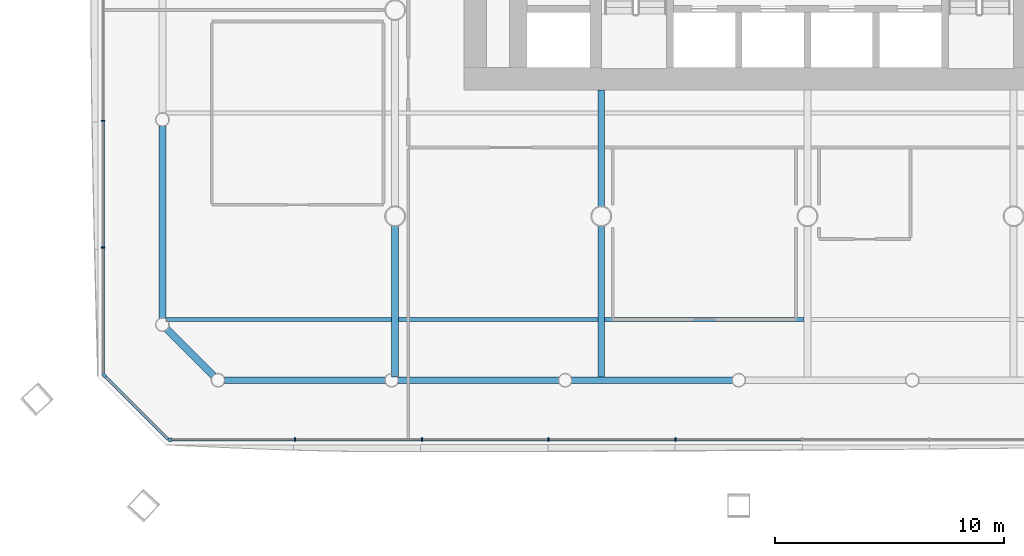
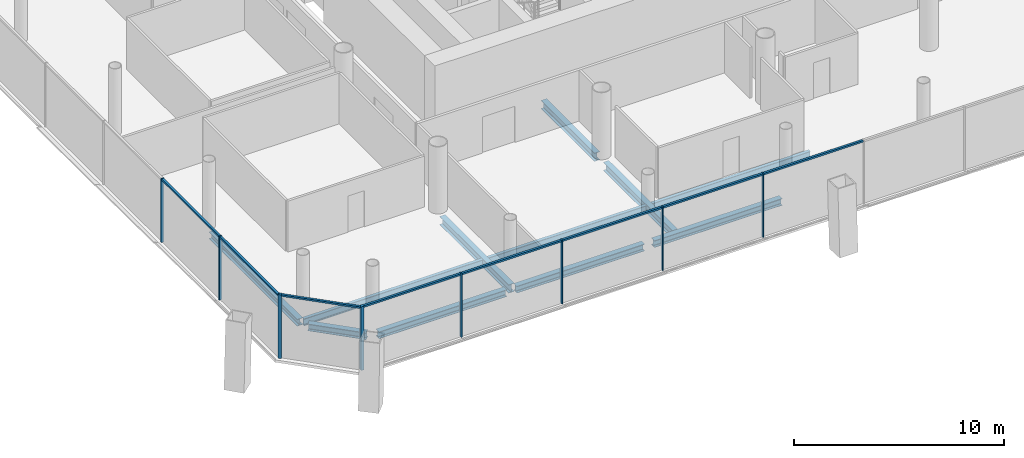
# One storey, part 3 of 23: 16 members, 11 beams, 3 elements without a shape of their own.
"""IFC4 building model written with IfcOpenShell, lengths in metres."""

from ifc_helpers import new_model, si_unit, direction, frame, origin, origin_2d, place, context, subcontext, project, spatial, rectangle, i_section, extrude, material, material_profile, profile_set, type_object, element, aggregate, save


model = new_model("IFC4")

# Units and contexts
model_context = context("Model", 3, precision=1e-05, world=origin(), true_north=direction((0.0, 1.0)))
body_context = subcontext(model_context, "Body", "Model", "MODEL_VIEW")
ifc_project = project(units=[si_unit("LENGTHUNIT", "METRE"), si_unit("AREAUNIT", "SQUARE_METRE"), si_unit("VOLUMEUNIT", "CUBIC_METRE"), si_unit("PLANEANGLEUNIT", "RADIAN"), si_unit("MASSUNIT", "GRAM", prefix="KILO")], contexts=[model_context])

# Site, building, storey
site_placement = place(None, origin())
site = spatial("IfcSite", under=ifc_project, at=site_placement, CompositionType="ELEMENT")
building_placement = place(site_placement, origin())
building = spatial("IfcBuilding", under=site, at=building_placement, Name="Tskaro Facet Tower", CompositionType="ELEMENT")
storey_placement = place(building_placement, frame((0.0, 0.0, 14.699951171875)))
storey = spatial("IfcBuildingStorey", under=building, at=storey_placement, Name="L02", CompositionType="ELEMENT", Elevation=14.699951171875)

# Curtain wall, member
ifc_material_1 = material(Name="Bronze anodised aluminium 6063-T6", Category="aluminium")
curtain_wall_type = type_object("IfcCurtainWallType", Name="Bronze office curtain wall (FW1)", PredefinedType="NOTDEFINED", material=ifc_material_1)
curtain_wall_1_placement = place(storey_placement, origin())
curtain_wall_1 = element("IfcCurtainWall", 1, at=curtain_wall_1_placement, inside=storey, type_object=curtain_wall_type, Name="FW1 south facet L02", PredefinedType="NOTDEFINED")
ifc_material_profile_1 = material_profile(ifc_material_1, rectangle(XDim=0.159912109375, YDim=0.159912109375, at=origin_2d()), Name="Corner post 160x160")
ifc_profile_set_1 = profile_set([ifc_material_profile_1], Name="Bronze anodised aluminium 6063-T6")
member_type_1 = type_object("IfcMemberType", Name="FW1 bronze corner post 160x160", PredefinedType="MULLION", material=ifc_profile_set_1)
member_1_placement = place(storey_placement, frame((-27.81591796875, -27.75, 0.0), z_axis=(0.0, 0.0, 1.0), x_axis=(1.0, 0.0, 0.0)))
member_1 = element("IfcMember", 2, at=member_1_placement, type_object=member_type_1, Name="FW1 south corner post", PredefinedType="MULLION", context=body_context, shape_type="SweptSolid", body=[
    extrude(rectangle(XDim=0.159912109375, YDim=0.159912109375, at=origin_2d()), origin(), (0.0, 0.0, 1.0), 3.699951171875),
])

curtain_wall_2_placement = place(storey_placement, origin())
curtain_wall_2 = element("IfcCurtainWall", 3, at=curtain_wall_2_placement, inside=storey, type_object=curtain_wall_type, Name="FW1 south-west facet L02", PredefinedType="NOTDEFINED")
member_2_placement = place(storey_placement, frame((-30.693359375, -24.95263671875, 0.0), z_axis=(0.0, 0.0, 1.0), x_axis=(0.707106781187, -0.707106781187, 0.0)))
member_2 = element("IfcMember", 4, at=member_2_placement, type_object=member_type_1, Name="FW1 south-west corner post", PredefinedType="MULLION", context=body_context, shape_type="SweptSolid", body=[
    extrude(rectangle(XDim=0.159912109375, YDim=0.159912109375, at=origin_2d()), origin(), (0.0, 0.0, 1.0), 3.699951171875),
])

# Member
ifc_material_profile_2 = material_profile(ifc_material_1, rectangle(XDim=0.06005859375, YDim=0.159912109375, at=origin_2d()), Name="Mullion 60x160")
ifc_profile_set_2 = profile_set([ifc_material_profile_2], Name="Bronze anodised aluminium 6063-T6")
member_type_2 = type_object("IfcMemberType", Name="FW1 bronze mullion 60x160", PredefinedType="MULLION", material=ifc_profile_set_2)
member_3_placement = place(storey_placement, frame((-22.363525390625, -27.75, 0.0), z_axis=(0.0, 0.0, 1.0), x_axis=(1.0, 0.0, 0.0)))
member_3 = element("IfcMember", 5, at=member_3_placement, type_object=member_type_2, Name="FW1 south mullion 1", PredefinedType="MULLION", context=body_context, shape_type="SweptSolid", body=[
    extrude(rectangle(XDim=0.06005859375, YDim=0.159912109375, at=origin_2d()), origin(), (0.0, 0.0, 1.0), 3.699951171875),
])

member_4_placement = place(storey_placement, frame((-16.8310546875, -27.75, 0.0), z_axis=(0.0, 0.0, 1.0), x_axis=(1.0, 0.0, 0.0)))
member_4 = element("IfcMember", 6, at=member_4_placement, type_object=member_type_2, Name="FW1 south mullion 2", PredefinedType="MULLION", context=body_context, shape_type="SweptSolid", body=[
    extrude(rectangle(XDim=0.06005859375, YDim=0.159912109375, at=origin_2d()), origin(), (0.0, 0.0, 1.0), 3.699951171875),
])

member_5_placement = place(storey_placement, frame((-11.298583984375, -27.75, 0.0), z_axis=(0.0, 0.0, 1.0), x_axis=(1.0, 0.0, 0.0)))
member_5 = element("IfcMember", 7, at=member_5_placement, type_object=member_type_2, Name="FW1 south mullion 3", PredefinedType="MULLION", context=body_context, shape_type="SweptSolid", body=[
    extrude(rectangle(XDim=0.06005859375, YDim=0.159912109375, at=origin_2d()), origin(), (0.0, 0.0, 1.0), 3.699951171875),
])

member_6_placement = place(storey_placement, frame((-5.76611328125, -27.75, 0.0), z_axis=(0.0, 0.0, 1.0), x_axis=(1.0, 0.0, 0.0)))
member_6 = element("IfcMember", 8, at=member_6_placement, type_object=member_type_2, Name="FW1 south mullion 4", PredefinedType="MULLION", context=body_context, shape_type="SweptSolid", body=[
    extrude(rectangle(XDim=0.06005859375, YDim=0.159912109375, at=origin_2d()), origin(), (0.0, 0.0, 1.0), 3.699951171875),
])

# Curtain wall, members
curtain_wall_3_placement = place(storey_placement, origin())
curtain_wall_3 = element("IfcCurtainWall", 9, at=curtain_wall_3_placement, inside=storey, type_object=curtain_wall_type, Name="FW1 west facet L02", PredefinedType="NOTDEFINED")
member_7_placement = place(storey_placement, frame((-30.75, -13.8310546875, 0.0), z_axis=(0.0, 0.0, 1.0), x_axis=(0.0, -1.0, 0.0)))
member_7 = element("IfcMember", 10, at=member_7_placement, type_object=member_type_2, Name="FW1 west mullion 7", PredefinedType="MULLION", context=body_context, shape_type="SweptSolid", body=[
    extrude(rectangle(XDim=0.06005859375, YDim=0.159912109375, at=origin_2d()), origin(), (0.0, 0.0, 1.0), 3.699951171875),
])
member_8_placement = place(storey_placement, frame((-30.75, -19.363525390625, 0.0), z_axis=(0.0, 0.0, 1.0), x_axis=(0.0, -1.0, 0.0)))
member_8 = element("IfcMember", 11, at=member_8_placement, type_object=member_type_2, Name="FW1 west mullion 8", PredefinedType="MULLION", context=body_context, shape_type="SweptSolid", body=[
    extrude(rectangle(XDim=0.06005859375, YDim=0.159912109375, at=origin_2d()), origin(), (0.0, 0.0, 1.0), 3.699951171875),
])

# Member
ifc_material_profile_3 = material_profile(ifc_material_1, rectangle(XDim=0.1201171875, YDim=0.10009765625, at=origin_2d()), Name="Transom 120x100")
ifc_profile_set_3 = profile_set([ifc_material_profile_3], Name="Bronze anodised aluminium 6063-T6")
member_type_3 = type_object("IfcMemberType", Name="FW1 bronze transom 120x100", PredefinedType="USERDEFINED", material=ifc_profile_set_3)
member_9_placement = place(storey_placement, frame((-27.736083984375, -27.75, 3.650146484375), z_axis=(1.0, 0.0, 0.0), x_axis=(0.0, 1.0, 0.0)))
member_9 = element("IfcMember", 12, at=member_9_placement, type_object=member_type_3, Name="FW1 south transom 1.1", ObjectType="TRANSOM", PredefinedType="USERDEFINED", context=body_context, shape_type="SweptSolid", body=[
    extrude(rectangle(XDim=0.1201171875, YDim=0.10009765625, at=origin_2d()), origin(), (0.0, 0.0, 1.0), 5.342529296875),
])

member_10_placement = place(storey_placement, frame((-22.33349609375, -27.75, 3.650146484375), z_axis=(1.0, 0.0, 0.0), x_axis=(0.0, 1.0, 0.0)))
member_10 = element("IfcMember", 13, at=member_10_placement, type_object=member_type_3, Name="FW1 south transom 2.1", ObjectType="TRANSOM", PredefinedType="USERDEFINED", context=body_context, shape_type="SweptSolid", body=[
    extrude(rectangle(XDim=0.1201171875, YDim=0.10009765625, at=origin_2d()), origin(), (0.0, 0.0, 1.0), 5.472412109375),
])

member_11_placement = place(storey_placement, frame((-16.801025390625, -27.75, 3.650146484375), z_axis=(1.0, 0.0, 0.0), x_axis=(0.0, 1.0, 0.0)))
member_11 = element("IfcMember", 14, at=member_11_placement, type_object=member_type_3, Name="FW1 south transom 3.1", ObjectType="TRANSOM", PredefinedType="USERDEFINED", context=body_context, shape_type="SweptSolid", body=[
    extrude(rectangle(XDim=0.1201171875, YDim=0.10009765625, at=origin_2d()), origin(), (0.0, 0.0, 1.0), 5.472412109375),
])

member_12_placement = place(storey_placement, frame((-11.2685546875, -27.75, 3.650146484375), z_axis=(1.0, 0.0, 0.0), x_axis=(0.0, 1.0, 0.0)))
member_12 = element("IfcMember", 15, at=member_12_placement, type_object=member_type_3, Name="FW1 south transom 4.1", ObjectType="TRANSOM", PredefinedType="USERDEFINED", context=body_context, shape_type="SweptSolid", body=[
    extrude(rectangle(XDim=0.1201171875, YDim=0.10009765625, at=origin_2d()), origin(), (0.0, 0.0, 1.0), 5.472412109375),
])

member_13_placement = place(storey_placement, frame((-5.736328125, -27.75, 3.650146484375), z_axis=(1.0, 0.0, 0.0), x_axis=(0.0, 1.0, 0.0)))
member_13 = element("IfcMember", 16, at=member_13_placement, type_object=member_type_3, Name="FW1 south transom 5.1", ObjectType="TRANSOM", PredefinedType="USERDEFINED", context=body_context, shape_type="SweptSolid", body=[
    extrude(rectangle(XDim=0.1201171875, YDim=0.10009765625, at=origin_2d()), origin(), (0.0, 0.0, 1.0), 5.47265625),
])

aggregate(curtain_wall_1, [member_1, member_3, member_4, member_5, member_6, member_9, member_10, member_11, member_12, member_13])

member_14_placement = place(storey_placement, frame((-30.75, -13.861083984375, 3.650146484375), z_axis=(0.0, -1.0, 0.0), x_axis=(1.0, 0.0, 0.0)))
member_14 = element("IfcMember", 17, at=member_14_placement, type_object=member_type_3, Name="FW1 west transom 8.1", ObjectType="TRANSOM", PredefinedType="USERDEFINED", context=body_context, shape_type="SweptSolid", body=[
    extrude(rectangle(XDim=0.1201171875, YDim=0.10009765625, at=origin_2d()), origin(), (0.0, 0.0, 1.0), 5.472412109375),
])

member_15_placement = place(storey_placement, frame((-30.75, -19.3935546875, 3.650146484375), z_axis=(0.0, -1.0, 0.0), x_axis=(1.0, 0.0, 0.0)))
member_15 = element("IfcMember", 18, at=member_15_placement, type_object=member_type_3, Name="FW1 west transom 9.1", ObjectType="TRANSOM", PredefinedType="USERDEFINED", context=body_context, shape_type="SweptSolid", body=[
    extrude(rectangle(XDim=0.1201171875, YDim=0.10009765625, at=origin_2d()), origin(), (0.0, 0.0, 1.0), 5.50244140625),
])

aggregate(curtain_wall_3, [member_7, member_8, member_14, member_15])

member_16_placement = place(storey_placement, frame((-30.636962890625, -25.009033203125, 3.650146484375), z_axis=(0.707106781187, -0.707106781187, 0.0), x_axis=(0.707106781187, 0.707106781187, 0.0)))
member_16 = element("IfcMember", 19, at=member_16_placement, type_object=member_type_3, Name="FW1 south-west transom 1.1", ObjectType="TRANSOM", PredefinedType="USERDEFINED", context=body_context, shape_type="SweptSolid", body=[
    extrude(rectangle(XDim=0.1201171875, YDim=0.10009765625, at=origin_2d()), origin(), (0.0, 0.0, 1.0), 3.876220703125),
])

aggregate(curtain_wall_2, [member_2, member_16])

# Beams
ifc_material_2 = material(Name="Steel S355J2", Category="steel")
ifc_material_profile_4 = material_profile(ifc_material_2, i_section(OverallWidth=0.300048828125, OverallDepth=0.39990234375, WebThickness=0.013427734375, FlangeThickness=0.02392578125, FilletRadius=0.027099609375, at=origin_2d()), Name="HE 400 B")
ifc_profile_set_4 = profile_set([ifc_material_profile_4], Name="Steel S355J2")
beam_type_1 = type_object("IfcBeamType", Name="HE 400 B ring beam", PredefinedType="BEAM", material=ifc_profile_set_4)
beam_1_placement = place(storey_placement, frame((-25.4541015625, -25.156982421875, -0.33984375), z_axis=(1.0, 0.0, 0.0), x_axis=(0.0, 1.0, 0.0)))
element("IfcBeam", 20, at=beam_1_placement, inside=storey, type_object=beam_type_1, Name="HE 400 B EB1-1", PredefinedType="BEAM", context=body_context, shape_type="SweptSolid", body=[
    extrude(i_section(OverallWidth=0.300048828125, OverallDepth=0.39990234375, WebThickness=0.013427734375, FlangeThickness=0.02392578125, FilletRadius=0.027099609375, at=origin_2d()), origin(), (0.0, 0.0, 1.0), 7.026123046875),
])
beam_2_placement = place(storey_placement, frame((-17.8779296875, -25.156982421875, -0.33984375), z_axis=(1.0, 0.0, 0.0), x_axis=(0.0, 1.0, 0.0)))
element("IfcBeam", 21, at=beam_2_placement, inside=storey, type_object=beam_type_1, Name="HE 400 B EB2-1", PredefinedType="BEAM", context=body_context, shape_type="SweptSolid", body=[
    extrude(i_section(OverallWidth=0.300048828125, OverallDepth=0.39990234375, WebThickness=0.013427734375, FlangeThickness=0.02392578125, FilletRadius=0.027099609375, at=origin_2d()), origin(), (0.0, 0.0, 1.0), 7.02685546875),
])
beam_3_placement = place(storey_placement, frame((-10.301025390625, -25.156982421875, -0.33984375), z_axis=(1.0, 0.0, 0.0), x_axis=(0.0, 1.0, 0.0)))
element("IfcBeam", 22, at=beam_3_placement, inside=storey, type_object=beam_type_1, Name="HE 400 B EB3-1", PredefinedType="BEAM", context=body_context, shape_type="SweptSolid", body=[
    extrude(i_section(OverallWidth=0.300048828125, OverallDepth=0.39990234375, WebThickness=0.013427734375, FlangeThickness=0.02392578125, FilletRadius=0.027099609375, at=origin_2d()), origin(), (0.0, 0.0, 1.0), 7.026123046875),
])
beam_4_placement = place(storey_placement, frame((-28.156982421875, -14.055908203125, -0.33984375), z_axis=(0.0, -1.0, 0.0), x_axis=(1.0, 0.0, 0.0)))
element("IfcBeam", 23, at=beam_4_placement, inside=storey, type_object=beam_type_1, Name="HE 400 B EB24-1", PredefinedType="BEAM", context=body_context, shape_type="SweptSolid", body=[
    extrude(i_section(OverallWidth=0.300048828125, OverallDepth=0.39990234375, WebThickness=0.013427734375, FlangeThickness=0.02392578125, FilletRadius=0.027099609375, at=origin_2d()), origin(), (0.0, 0.0, 1.0), 8.398193359375),
])
beam_5_placement = place(storey_placement, frame((-27.962646484375, -22.92333984375, -0.33984375), z_axis=(0.707106781187, -0.707106781187, 0.0), x_axis=(0.707106781187, 0.707106781187, 0.0)))
element("IfcBeam", 24, at=beam_5_placement, inside=storey, type_object=beam_type_1, Name="HE 400 B EB25-1", PredefinedType="BEAM", context=body_context, shape_type="SweptSolid", body=[
    extrude(i_section(OverallWidth=0.300048828125, OverallDepth=0.39990234375, WebThickness=0.013427734375, FlangeThickness=0.02392578125, FilletRadius=0.027099609375, at=origin_2d()), origin(), (0.0, 0.0, 1.0), 2.884033203125),
])
ifc_material_profile_5 = material_profile(ifc_material_2, i_section(OverallWidth=0.300048828125, OverallDepth=0.489990234375, WebThickness=0.011962890625, FlangeThickness=0.02294921875, FilletRadius=0.027099609375, at=origin_2d()), Name="HE 500 A")
ifc_profile_set_5 = profile_set([ifc_material_profile_5], Name="Steel S355J2")
beam_type_2 = type_object("IfcBeamType", Name="HE 500 A girder", PredefinedType="BEAM", material=ifc_profile_set_5)
for number, where, z_axis, x_axis, name in (
    (25, (-18.0, -25.007080078125, -0.385009765625), (0.0, 1.0, 0.0), (-1.0, 0.0, 0.0), "HE 500 A GB2-1-1"),
    (26, (-9.0, -25.007080078125, -0.385009765625), (0.0, 1.0, 0.0), (-1.0, 0.0, 0.0), "HE 500 A GB3-1-1"),
):
    element("IfcBeam", number, at=place(storey_placement, frame(where, z_axis=z_axis, x_axis=x_axis)), inside=storey, type_object=beam_type_2, Name=name, PredefinedType="BEAM", context=body_context, shape_type="SweptSolid", body=[
        extrude(i_section(OverallWidth=0.300048828125, OverallDepth=0.489990234375, WebThickness=0.011962890625, FlangeThickness=0.02294921875, FilletRadius=0.027099609375, at=origin_2d()), origin(), (0.0, 0.0, 1.0), 6.579833984375),
    ])
beam_6_placement = place(storey_placement, frame((-9.0, -17.57275390625, -0.385009765625), z_axis=(0.0, 1.0, 0.0), x_axis=(-1.0, 0.0, 0.0)))
element("IfcBeam", 27, at=beam_6_placement, inside=storey, type_object=beam_type_2, Name="HE 500 A GB3-2-1", PredefinedType="BEAM", context=body_context, shape_type="SweptSolid", body=[
    extrude(i_section(OverallWidth=0.300048828125, OverallDepth=0.489990234375, WebThickness=0.011962890625, FlangeThickness=0.02294921875, FilletRadius=0.027099609375, at=origin_2d()), origin(), (0.0, 0.0, 1.0), 5.07275390625),
])
ifc_material_profile_6 = material_profile(ifc_material_2, i_section(OverallWidth=0.179931640625, OverallDepth=0.39990234375, WebThickness=0.008544921875, FlangeThickness=0.013427734375, FilletRadius=0.02099609375, at=origin_2d()), Name="IPE 400")
ifc_profile_set_6 = profile_set([ifc_material_profile_6], Name="Steel S355J2")
beam_type_3 = type_object("IfcBeamType", Name="IPE 400 secondary beam", PredefinedType="BEAM", material=ifc_profile_set_6)
beam_7_placement = place(storey_placement, frame((-28.007080078125, -22.5, -0.33984375), z_axis=(1.0, 0.0, 0.0), x_axis=(0.0, 1.0, 0.0)))
element("IfcBeam", 28, at=beam_7_placement, inside=storey, type_object=beam_type_3, Name="IPE 400 SB1a-1-1", PredefinedType="BEAM", context=body_context, shape_type="SweptSolid", body=[
    extrude(i_section(OverallWidth=0.179931640625, OverallDepth=0.39990234375, WebThickness=0.008544921875, FlangeThickness=0.013427734375, FilletRadius=0.02099609375, at=origin_2d()), origin(), (0.0, 0.0, 1.0), 9.857177734375),
])
for number, where, z_axis, x_axis, name in (
    (29, (-17.85009765625, -22.5, -0.33984375), (1.0, 0.0, 0.0), (0.0, 1.0, 0.0), "IPE 400 SB1a-2-1"),
    (30, (-8.85009765625, -22.5, -0.33984375), (1.0, 0.0, 0.0), (0.0, 1.0, 0.0), "IPE 400 SB1a-3-1"),
):
    element("IfcBeam", number, at=place(storey_placement, frame(where, z_axis=z_axis, x_axis=x_axis)), inside=storey, type_object=beam_type_3, Name=name, PredefinedType="BEAM", context=body_context, shape_type="SweptSolid", body=[
        extrude(i_section(OverallWidth=0.179931640625, OverallDepth=0.39990234375, WebThickness=0.008544921875, FlangeThickness=0.013427734375, FilletRadius=0.02099609375, at=origin_2d()), origin(), (0.0, 0.0, 1.0), 8.7001953125),
    ])

save(model, "model.ifc")
